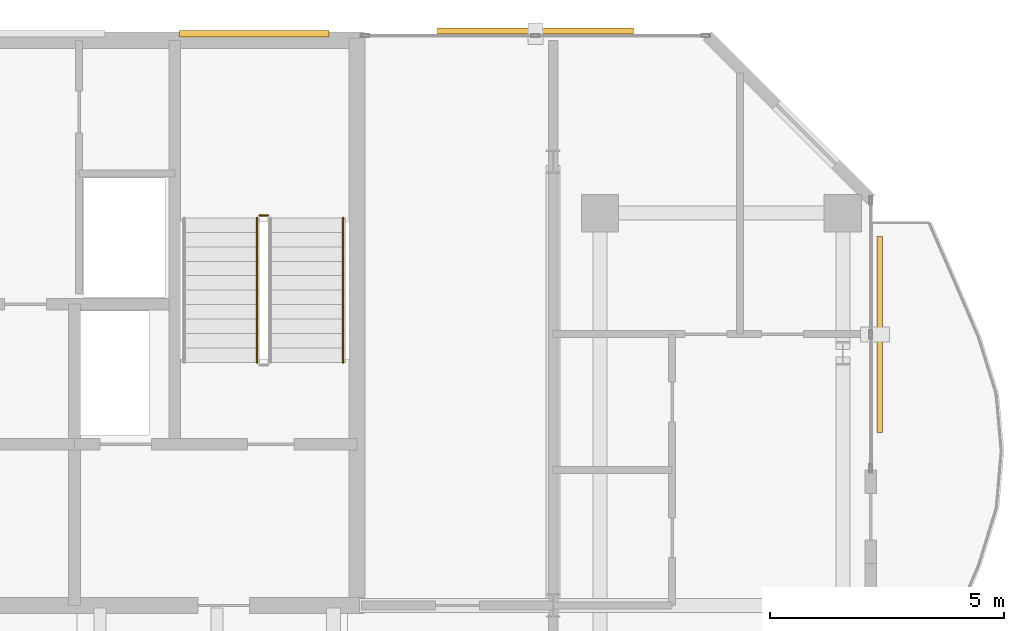
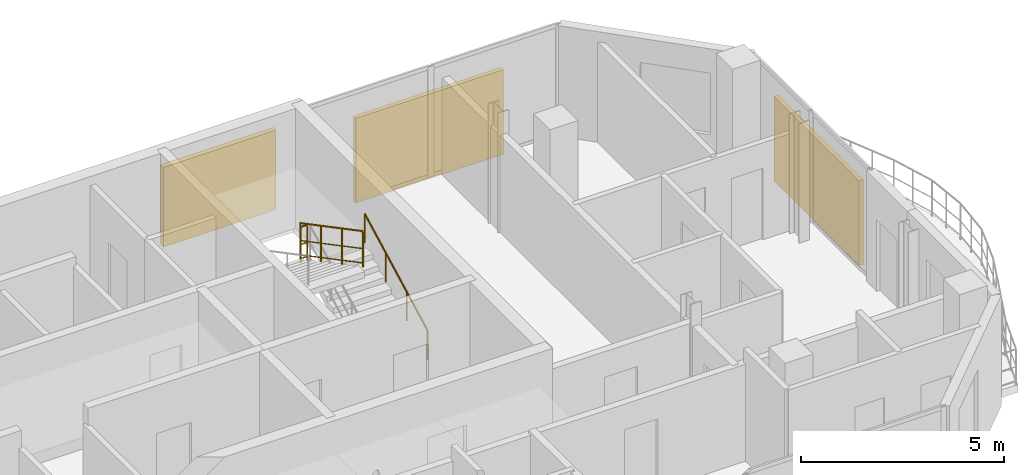
# One storey, part 23 of 23: 3 railings, 3 shading devices.
"""IFC4 building model written with IfcOpenShell, lengths in metres."""

from ifc_helpers import new_model, si_unit, direction, frame, origin, origin_2d, place, context, subcontext, project, spatial, rectangle, circle, extrude, material, type_object, element, save


model = new_model("IFC4")

# Units and contexts
model_context = context("Model", 3, precision=1e-05, world=origin(), true_north=direction((0.0, 1.0)))
body_context = subcontext(model_context, "Body", "Model", "MODEL_VIEW")
ifc_project = project(units=[si_unit("LENGTHUNIT", "METRE"), si_unit("AREAUNIT", "SQUARE_METRE"), si_unit("VOLUMEUNIT", "CUBIC_METRE"), si_unit("PLANEANGLEUNIT", "RADIAN"), si_unit("MASSUNIT", "GRAM", prefix="KILO")], contexts=[model_context])

# Site, building, storey
site_placement = place(None, origin())
site = spatial("IfcSite", under=ifc_project, at=site_placement, CompositionType="ELEMENT")
building_placement = place(site_placement, origin())
building = spatial("IfcBuilding", under=site, at=building_placement, Name="Catumbela Crestline Tower", CompositionType="ELEMENT")
storey_placement = place(building_placement, frame((0.0, 0.0, 179.4)))
storey = spatial("IfcBuildingStorey", under=building, at=storey_placement, Name="L46", CompositionType="ELEMENT", Elevation=179.4)

# Railings
ifc_material_1 = material(Name="Stainless steel EN 1.4401", Category="steel")
railing_type_1 = type_object("IfcRailingType", Name="RG-1100", PredefinedType="GUARDRAIL", material=ifc_material_1)
railing_1_placement = place(storey_placement, frame((38.09, 39.15, 1.8)))
element("IfcRailing", 1, at=railing_1_placement, inside=storey, type_object=railing_type_1, Name="L46 ST-02 stair guard 2", PredefinedType="GUARDRAIL", context=body_context, shape_type="SweptSolid", body=[
    extrude(circle(Radius=0.024, at=origin_2d()), frame((0.0, 0.0, 1.076), z_axis=(-1.0, 0.0, 0.0), x_axis=(0.0, -1.0, 0.0)), (0.0, 0.0, 1.0), 0.18),
    extrude(circle(Radius=0.0156, at=origin_2d()), frame((0.0, 0.0, 0.55), z_axis=(-1.0, 0.0, 0.0), x_axis=(0.0, -1.0, 0.0)), (0.0, 0.0, 1.0), 0.18),
    extrude(circle(Radius=0.0156, at=origin_2d()), frame((0.0, 0.0, 0.12), z_axis=(-1.0, 0.0, 0.0), x_axis=(0.0, -1.0, 0.0)), (0.0, 0.0, 1.0), 0.18),
    extrude(circle(Radius=0.021, at=origin_2d()), origin(), (0.0, 0.0, 1.0), 1.052),
    extrude(circle(Radius=0.021, at=origin_2d()), frame((-0.18, 0.0, 0.0)), (0.0, 0.0, 1.0), 1.052),
])
railing_2_placement = place(storey_placement, frame((37.86, 39.1, 1.9636)))
element("IfcRailing", 2, at=railing_2_placement, inside=storey, type_object=railing_type_1, Name="L46 ST-02 stair guard 3", PredefinedType="GUARDRAIL", context=body_context, shape_type="SweptSolid", body=[
    extrude(circle(Radius=0.024, at=origin_2d()), frame((0.0, 0.0, 1.076), z_axis=(0.0, -0.884350731049, 0.466823076222), x_axis=(1.0, 0.0, 0.0)), (0.0, 0.0, 1.0), 3.5054),
    extrude(circle(Radius=0.0156, at=origin_2d()), frame((0.0, 0.0, 0.55), z_axis=(0.0, -0.884350731049, 0.466823076222), x_axis=(1.0, 0.0, 0.0)), (0.0, 0.0, 1.0), 3.5054),
    extrude(circle(Radius=0.0156, at=origin_2d()), frame((0.0, 0.0, 0.12), z_axis=(0.0, -0.884350731049, 0.466823076222), x_axis=(1.0, 0.0, 0.0)), (0.0, 0.0, 1.0), 3.5054),
    extrude(circle(Radius=0.021, at=origin_2d()), origin(), (0.0, 0.0, 1.0), 1.052),
    extrude(circle(Radius=0.021, at=origin_2d()), frame((0.0, -1.0333, 0.5455)), (0.0, 0.0, 1.0), 1.052),
    extrude(circle(Radius=0.021, at=origin_2d()), frame((0.0, -2.0667, 1.0909)), (0.0, 0.0, 1.0), 1.052),
    extrude(circle(Radius=0.021, at=origin_2d()), frame((0.0, -3.1, 1.6364)), (0.0, 0.0, 1.0), 1.052),
])
railing_type_2 = type_object("IfcRailingType", Name="RH-0900", PredefinedType="HANDRAIL", material=ifc_material_1)
railing_3_placement = place(storey_placement, frame((39.7, 36.0, 0.1636)))
element("IfcRailing", 3, at=railing_3_placement, inside=storey, type_object=railing_type_2, Name="L46 ST-02 stair handrail 1", PredefinedType="HANDRAIL", context=body_context, shape_type="SweptSolid", body=[
    extrude(circle(Radius=0.024, at=origin_2d()), frame((0.0, 0.0, 0.876), z_axis=(0.0, 0.884350731049, 0.466823076222), x_axis=(-1.0, 0.0, 0.0)), (0.0, 0.0, 1.0), 3.5054),
    extrude(circle(Radius=0.021, at=origin_2d()), origin(), (0.0, 0.0, 1.0), 0.852),
    extrude(circle(Radius=0.021, at=origin_2d()), frame((0.0, 1.0333, 0.5455)), (0.0, 0.0, 1.0), 0.852),
    extrude(circle(Radius=0.021, at=origin_2d()), frame((0.0, 2.0667, 1.0909)), (0.0, 0.0, 1.0), 0.852),
    extrude(circle(Radius=0.021, at=origin_2d()), frame((0.0, 3.1, 1.6364)), (0.0, 0.0, 1.0), 0.852),
])

# Shading devices
ifc_material_2 = material(Name="Extruded terracotta ceramic", Category="masonry")
shading_device_type_1 = type_object("IfcShadingDeviceType", Name="ST-180", PredefinedType="USERDEFINED", material=ifc_material_2)
shading_device_1_placement = place(storey_placement, frame((37.8, 43.04, 0.55), z_axis=(0.0, 0.0, 1.0), x_axis=(1.0, 0.0, 0.0)))
element("IfcShadingDevice", 4, at=shading_device_1_placement, inside=storey, type_object=shading_device_type_1, Name="L46 Rear Core Terracotta Brise-Soleil Screen 527", ObjectType="SCREEN", PredefinedType="USERDEFINED", context=body_context, shape_type="SweptSolid", body=[
    extrude(rectangle(XDim=3.2, YDim=0.14, at=origin_2d()), origin(), (0.0, 0.0, 1.0), 2.4),
])
shading_device_2_placement = place(storey_placement, frame((43.82, 43.099, -0.1), z_axis=(0.0, 0.0, 1.0), x_axis=(-1.0, 0.0, 0.0)))
element("IfcShadingDevice", 5, at=shading_device_2_placement, inside=storey, type_object=shading_device_type_1, Name="L46 Perforated Terracotta Solar Screen 535 (180 mm)", ObjectType="SCREEN", PredefinedType="USERDEFINED", context=body_context, shape_type="SweptSolid", body=[
    extrude(rectangle(XDim=4.2, YDim=0.12, at=origin_2d()), origin(), (0.0, 0.0, 1.0), 2.55),
])
shading_device_type_2 = type_object("IfcShadingDeviceType", Name="ST-340", PredefinedType="USERDEFINED", material=ifc_material_2)
shading_device_3_placement = place(storey_placement, frame((51.187, 36.6, -0.1), z_axis=(0.0, 0.0, 1.0), x_axis=(0.0, 1.0, 0.0)))
element("IfcShadingDevice", 6, at=shading_device_3_placement, inside=storey, type_object=shading_device_type_2, Name="L46 Perforated Terracotta Solar Screen 534 (340 mm)", ObjectType="SCREEN", PredefinedType="USERDEFINED", context=body_context, shape_type="SweptSolid", body=[
    extrude(rectangle(XDim=4.2, YDim=0.12, at=origin_2d()), origin(), (0.0, 0.0, 1.0), 2.55),
])

save(model, "model.ifc")
